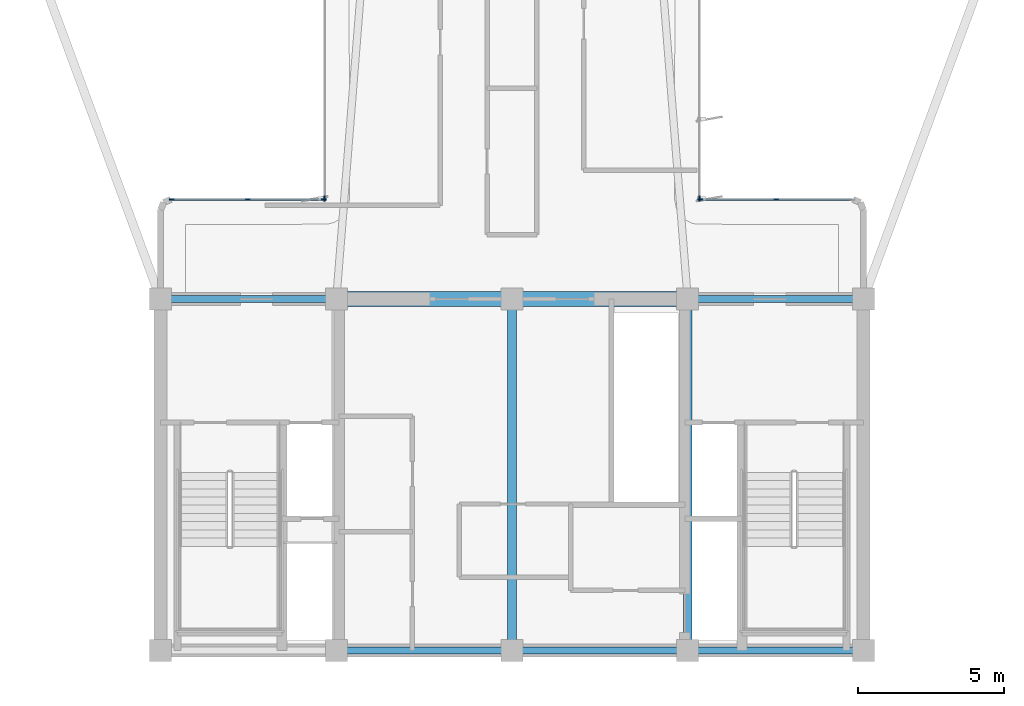
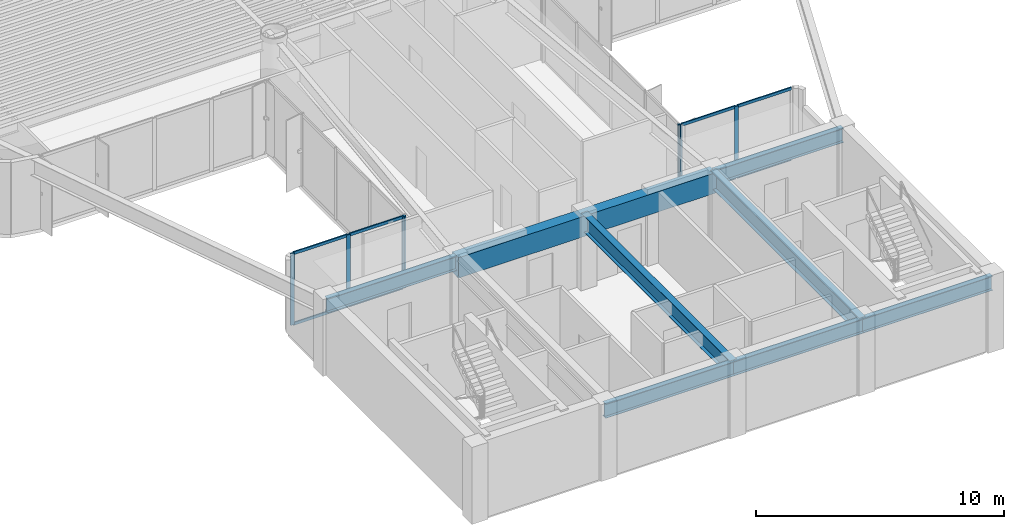
# One storey, part 2 of 15: 15 members, 8 beams, 4 elements without a shape of their own.
"""IFC4 building model written with IfcOpenShell, lengths in metres."""

from ifc_helpers import new_model, si_unit, direction, frame, origin, origin_2d, place, context, subcontext, project, spatial, rectangle, i_section, extrude, source, transform, mapped, material, layer, layer_set, material_profile, profile_set, type_object, element, aggregate, save


model = new_model("IFC4")

# Units and contexts
model_context = context("Model", 3, precision=1e-05, world=origin(), true_north=direction((0.0, 1.0)))
body_context = subcontext(model_context, "Body", "Model", "MODEL_VIEW")
ifc_project = project(units=[si_unit("LENGTHUNIT", "METRE"), si_unit("AREAUNIT", "SQUARE_METRE"), si_unit("VOLUMEUNIT", "CUBIC_METRE"), si_unit("PLANEANGLEUNIT", "RADIAN"), si_unit("MASSUNIT", "GRAM", prefix="KILO")], contexts=[model_context])

# Site, building, storey
site_placement = place(None, origin())
site = spatial("IfcSite", under=ifc_project, at=site_placement, CompositionType="ELEMENT")
building_placement = place(site_placement, origin())
building = spatial("IfcBuilding", under=site, at=building_placement, Name="Brelvock Crest Care Tower", CompositionType="ELEMENT")
storey_placement = place(building_placement, frame((0.0, 0.0, 163.97998046875)))
storey = spatial("IfcBuildingStorey", under=building, at=storey_placement, Name="L41", CompositionType="ELEMENT", Elevation=163.97998046875)

# Beams
ifc_material_1 = material(Name="Steel Grade 350", Category="steel")
ifc_material_profile_1 = material_profile(ifc_material_1, i_section(OverallWidth=0.25, OverallDepth=0.699951171875, WebThickness=0.011962890625, FlangeThickness=0.02001953125, at=origin_2d()), Name="700WB150")
ifc_profile_set_1 = profile_set([ifc_material_profile_1], Name="Steel Grade 350")
beam_type_1 = type_object("IfcBeamType", Name="BM-G4", PredefinedType="BEAM", material=ifc_profile_set_1)
shared_shape_1 = source(origin(), body_context, "Body", "SweptSolid", [
    extrude(i_section(OverallWidth=0.25, OverallDepth=0.699951171875, WebThickness=0.011962890625, FlangeThickness=0.02001953125, at=origin_2d()), origin(), (0.0, 0.0, 1.0), 6.0),
])
for number, where, z_axis, x_axis, name in (
    (1, (24.0, 18.0, 3.179931640625), (1.0, 0.0, 0.0), (0.0, 1.0, 0.0), "BM-COREN-L41-1"),
    (2, (30.0, 6.0, 3.179931640625), (1.0, 0.0, 0.0), (0.0, 1.0, 0.0), "BM-CORES-L41-2"),
    (3, (36.0, 6.0, 3.179931640625), (1.0, 0.0, 0.0), (0.0, 1.0, 0.0), "BM-CORES-L41-3"),
    (4, (42.0, 6.0, 3.179931640625), (1.0, 0.0, 0.0), (0.0, 1.0, 0.0), "BM-CORES-L41-4"),
    (5, (42.0, 18.0, 3.179931640625), (1.0, 0.0, 0.0), (0.0, 1.0, 0.0), "BM-COREN-L41-4"),
):
    element("IfcBeam", number, at=place(storey_placement, frame(where, z_axis=z_axis, x_axis=x_axis)), inside=storey, type_object=beam_type_1, Name=name, PredefinedType="BEAM", context=body_context, shape_type="MappedRepresentation", body=[
        mapped(shared_shape_1, transform((0.0, 0.0, 0.0), x_axis=(1.0, 0.0, 0.0), y_axis=(0.0, 1.0, 0.0), z_axis=(0.0, 0.0, 1.0), scale=1.0)),
    ])
ifc_material_profile_2 = material_profile(ifc_material_1, i_section(OverallWidth=0.300048828125, OverallDepth=0.800048828125, WebThickness=0.013916015625, FlangeThickness=0.02197265625, at=origin_2d()), Name="800WB192")
ifc_profile_set_2 = profile_set([ifc_material_profile_2], Name="Steel Grade 350")
beam_type_2 = type_object("IfcBeamType", Name="BM-G5", PredefinedType="BEAM", material=ifc_profile_set_2)
shared_shape_2 = source(origin(), body_context, "Body", "SweptSolid", [
    extrude(i_section(OverallWidth=0.300048828125, OverallDepth=0.800048828125, WebThickness=0.013916015625, FlangeThickness=0.02197265625, at=origin_2d()), origin(), (0.0, 0.0, 1.0), 12.0),
])
for number, where, z_axis, x_axis, name in (
    (6, (36.0, 6.0, 3.130126953125), (0.0, 1.0, 0.0), (-1.0, 0.0, 0.0), "BM-COREX-L41-3"),
    (7, (42.0, 6.0, 3.130126953125), (0.0, 1.0, 0.0), (-1.0, 0.0, 0.0), "BM-COREX-L41-4"),
):
    element("IfcBeam", number, at=place(storey_placement, frame(where, z_axis=z_axis, x_axis=x_axis)), inside=storey, type_object=beam_type_2, Name=name, PredefinedType="BEAM", context=body_context, shape_type="MappedRepresentation", body=[
        mapped(shared_shape_2, transform((0.0, 0.0, 0.0), x_axis=(1.0, 0.0, 0.0), y_axis=(0.0, 1.0, 0.0), z_axis=(0.0, 0.0, 1.0), scale=1.0)),
    ])
ifc_material_2 = material(Name="Concrete S65 (65 MPa)", Category="concrete")
ifc_material_profile_3 = material_profile(ifc_material_2, rectangle(XDim=0.5, YDim=1.0, at=origin_2d()), Name="RC500x1000")
ifc_profile_set_3 = profile_set([ifc_material_profile_3], Name="Concrete S65 (65 MPa)")
beam_type_3 = type_object("IfcBeamType", Name="BM-LN2", PredefinedType="LINTEL", material=ifc_profile_set_3)
shared_shape_3 = source(origin(), body_context, "Body", "SweptSolid", [
    extrude(rectangle(XDim=0.5, YDim=1.0, at=origin_2d()), origin(), (0.0, 0.0, 1.0), 12.0),
])
beam_placement = place(storey_placement, frame((30.0, 18.0, 3.030029296875), z_axis=(1.0, 0.0, 0.0), x_axis=(0.0, 1.0, 0.0)))
element("IfcBeam", 8, at=beam_placement, inside=storey, type_object=beam_type_3, Name="L41 Core Coupling Lintel Beam", PredefinedType="LINTEL", context=body_context, shape_type="MappedRepresentation", body=[
    mapped(shared_shape_3, transform((0.0, 0.0, 0.0), x_axis=(1.0, 0.0, 0.0), y_axis=(0.0, 1.0, 0.0), z_axis=(0.0, 0.0, 1.0), scale=1.0)),
])

# Curtain wall, members
ifc_material_3 = material(Name="Dark Glass Double Glazed Low-E", Category="glass")
ifc_layer = layer(ifc_material_3, 0.22509765625, Name="CWS-4")
ifc_layer_set = layer_set([ifc_layer], Name="Dark Glass Double Glazed Low-E")
curtain_wall_type = type_object("IfcCurtainWallType", Name="CWS-4", PredefinedType="NOTDEFINED", material=ifc_layer_set)
curtain_wall_1_placement = place(storey_placement, origin())
curtain_wall_1 = element("IfcCurtainWall", 9, at=curtain_wall_1_placement, inside=storey, type_object=curtain_wall_type, Name="L41 Curtain Wall E10", PredefinedType="NOTDEFINED")
ifc_material_4 = material(Name="Aluminium 6063-T6", Category="aluminium")
ifc_material_profile_4 = material_profile(ifc_material_4, rectangle(XDim=0.06005859375, YDim=0.179931640625, at=origin_2d()), Name="ALU60x180")
ifc_profile_set_4 = profile_set([ifc_material_profile_4], Name="Aluminium 6063-T6")
member_type_1 = type_object("IfcMemberType", Name="CWM-2", PredefinedType="MULLION", material=ifc_profile_set_4)
shared_shape_4 = source(origin(), body_context, "Body", "SweptSolid", [
    extrude(rectangle(XDim=0.06005859375, YDim=0.179931640625, at=origin_2d()), origin(), (0.0, 0.0, 1.0), 3.530029296875),
])
member_1_placement = place(storey_placement, frame((24.3798828125, 21.39990234375, 0.0), z_axis=(0.0, 0.0, 1.0), x_axis=(0.0, 1.0, 0.0)))
member_1 = element("IfcMember", 10, at=member_1_placement, type_object=member_type_1, Name="CW-4 mullion 1", PredefinedType="MULLION", context=body_context, shape_type="MappedRepresentation", body=[
    mapped(shared_shape_4, transform((0.0, 0.0, 0.0), x_axis=(1.0, 0.0, 0.0), y_axis=(0.0, 1.0, 0.0), z_axis=(0.0, 0.0, 1.0), scale=1.0)),
])
member_2_placement = place(storey_placement, frame((26.97509765625, 21.39990234375, 0.0), z_axis=(0.0, 0.0, 1.0), x_axis=(0.0, 1.0, 0.0)))
member_2 = element("IfcMember", 11, at=member_2_placement, type_object=member_type_1, Name="CW-4 mullion 2", PredefinedType="MULLION", context=body_context, shape_type="MappedRepresentation", body=[
    mapped(shared_shape_4, transform((0.0, 0.0, 0.0), x_axis=(1.0, 0.0, 0.0), y_axis=(0.0, 1.0, 0.0), z_axis=(0.0, 0.0, 1.0), scale=1.0)),
])
member_3_placement = place(storey_placement, frame((29.570068359375, 21.39990234375, 0.0), z_axis=(0.0, 0.0, 1.0), x_axis=(0.0, 1.0, 0.0)))
member_3 = element("IfcMember", 12, at=member_3_placement, type_object=member_type_1, Name="CW-4 mullion 3", PredefinedType="MULLION", context=body_context, shape_type="MappedRepresentation", body=[
    mapped(shared_shape_4, transform((0.0, 0.0, 0.0), x_axis=(1.0, 0.0, 0.0), y_axis=(0.0, 1.0, 0.0), z_axis=(0.0, 0.0, 1.0), scale=1.0)),
])

# Curtain wall, member
curtain_wall_2_placement = place(storey_placement, origin())
curtain_wall_2 = element("IfcCurtainWall", 13, at=curtain_wall_2_placement, inside=storey, type_object=curtain_wall_type, Name="L41 Curtain Wall E11", PredefinedType="NOTDEFINED")
member_4_placement = place(storey_placement, frame((29.60009765625, 21.429931640625, 0.0), z_axis=(0.0, 0.0, 1.0), x_axis=(-1.0, 0.0, 0.0)))
member_4 = element("IfcMember", 14, at=member_4_placement, type_object=member_type_1, Name="CW-4 mullion 1", PredefinedType="MULLION", context=body_context, shape_type="MappedRepresentation", body=[
    mapped(shared_shape_4, transform((0.0, 0.0, 0.0), x_axis=(1.0, 0.0, 0.0), y_axis=(0.0, 1.0, 0.0), z_axis=(0.0, 0.0, 1.0), scale=1.0)),
])
aggregate(curtain_wall_2, [member_4])

curtain_wall_3_placement = place(storey_placement, origin())
curtain_wall_3 = element("IfcCurtainWall", 15, at=curtain_wall_3_placement, inside=storey, type_object=curtain_wall_type, Name="L41 Curtain Wall E45", PredefinedType="NOTDEFINED")
member_5_placement = place(storey_placement, frame((42.39990234375, 21.429931640625, 0.0), z_axis=(0.0, 0.0, 1.0), x_axis=(1.0, 0.0, 0.0)))
member_5 = element("IfcMember", 16, at=member_5_placement, type_object=member_type_1, Name="CW-4 mullion 5", PredefinedType="MULLION", context=body_context, shape_type="MappedRepresentation", body=[
    mapped(shared_shape_4, transform((0.0, 0.0, 0.0), x_axis=(1.0, 0.0, 0.0), y_axis=(0.0, 1.0, 0.0), z_axis=(0.0, 0.0, 1.0), scale=1.0)),
])
aggregate(curtain_wall_3, [member_5])

# Curtain wall, members
curtain_wall_4_placement = place(storey_placement, origin())
curtain_wall_4 = element("IfcCurtainWall", 17, at=curtain_wall_4_placement, inside=storey, type_object=curtain_wall_type, Name="L41 Curtain Wall E46", PredefinedType="NOTDEFINED")
member_6_placement = place(storey_placement, frame((42.429931640625, 21.39990234375, 0.0), z_axis=(0.0, 0.0, 1.0), x_axis=(0.0, 1.0, 0.0)))
member_6 = element("IfcMember", 18, at=member_6_placement, type_object=member_type_1, Name="CW-4 mullion 1", PredefinedType="MULLION", context=body_context, shape_type="MappedRepresentation", body=[
    mapped(shared_shape_4, transform((0.0, 0.0, 0.0), x_axis=(1.0, 0.0, 0.0), y_axis=(0.0, 1.0, 0.0), z_axis=(0.0, 0.0, 1.0), scale=1.0)),
])
member_7_placement = place(storey_placement, frame((45.02490234375, 21.39990234375, 0.0), z_axis=(0.0, 0.0, 1.0), x_axis=(0.0, 1.0, 0.0)))
member_7 = element("IfcMember", 19, at=member_7_placement, type_object=member_type_1, Name="CW-4 mullion 2", PredefinedType="MULLION", context=body_context, shape_type="MappedRepresentation", body=[
    mapped(shared_shape_4, transform((0.0, 0.0, 0.0), x_axis=(1.0, 0.0, 0.0), y_axis=(0.0, 1.0, 0.0), z_axis=(0.0, 0.0, 1.0), scale=1.0)),
])

# Member
ifc_material_profile_5 = material_profile(ifc_material_4, rectangle(XDim=0.06005859375, YDim=0.139892578125, at=origin_2d()), Name="ALU60x140")
ifc_profile_set_5 = profile_set([ifc_material_profile_5], Name="Aluminium 6063-T6")
member_type_2 = type_object("IfcMemberType", Name="CWT-2", PredefinedType="USERDEFINED", material=ifc_profile_set_5)
shared_shape_5 = source(origin(), body_context, "Body", "SweptSolid", [
    extrude(rectangle(XDim=0.06005859375, YDim=0.139892578125, at=origin_2d()), origin(), (0.0, 0.0, 1.0), 2.53515625),
])
member_8_placement = place(storey_placement, frame((24.409912109375, 21.39990234375, 0.030029296875), z_axis=(1.0, 0.0, 0.0), x_axis=(0.0, 1.0, 0.0)))
member_8 = element("IfcMember", 20, at=member_8_placement, type_object=member_type_2, Name="CW-4 transom 1.1", ObjectType="TRANSOM", PredefinedType="USERDEFINED", context=body_context, shape_type="MappedRepresentation", body=[
    mapped(shared_shape_5, transform((0.0, 0.0, 0.0), x_axis=(1.0, 0.0, 0.0), y_axis=(0.0, 1.0, 0.0), z_axis=(0.0, 0.0, 1.0), scale=1.0)),
])

member_9_placement = place(storey_placement, frame((24.409912109375, 21.39990234375, 3.5), z_axis=(1.0, 0.0, 0.0), x_axis=(0.0, 1.0, 0.0)))
member_9 = element("IfcMember", 21, at=member_9_placement, type_object=member_type_2, Name="CW-4 transom 1.2", ObjectType="TRANSOM", PredefinedType="USERDEFINED", context=body_context, shape_type="MappedRepresentation", body=[
    mapped(shared_shape_5, transform((0.0, 0.0, 0.0), x_axis=(1.0, 0.0, 0.0), y_axis=(0.0, 1.0, 0.0), z_axis=(0.0, 0.0, 1.0), scale=1.0)),
])

member_10_placement = place(storey_placement, frame((27.0048828125, 21.39990234375, 0.030029296875), z_axis=(1.0, 0.0, 0.0), x_axis=(0.0, 1.0, 0.0)))
member_10 = element("IfcMember", 22, at=member_10_placement, type_object=member_type_2, Name="CW-4 transom 2.1", ObjectType="TRANSOM", PredefinedType="USERDEFINED", context=body_context, shape_type="MappedRepresentation", body=[
    mapped(shared_shape_5, transform((0.0, 0.0, 0.0), x_axis=(1.0, 0.0, 0.0), y_axis=(0.0, 1.0, 0.0), z_axis=(0.0, 0.0, 1.0), scale=1.0)),
])

member_11_placement = place(storey_placement, frame((27.0048828125, 21.39990234375, 3.5), z_axis=(1.0, 0.0, 0.0), x_axis=(0.0, 1.0, 0.0)))
member_11 = element("IfcMember", 23, at=member_11_placement, type_object=member_type_2, Name="CW-4 transom 2.2", ObjectType="TRANSOM", PredefinedType="USERDEFINED", context=body_context, shape_type="MappedRepresentation", body=[
    mapped(shared_shape_5, transform((0.0, 0.0, 0.0), x_axis=(1.0, 0.0, 0.0), y_axis=(0.0, 1.0, 0.0), z_axis=(0.0, 0.0, 1.0), scale=1.0)),
])

aggregate(curtain_wall_1, [member_1, member_2, member_3, member_8, member_9, member_10, member_11])

member_12_placement = place(storey_placement, frame((42.4599609375, 21.39990234375, 0.030029296875), z_axis=(1.0, 0.0, 0.0), x_axis=(0.0, 1.0, 0.0)))
member_12 = element("IfcMember", 24, at=member_12_placement, type_object=member_type_2, Name="CW-4 transom 1.1", ObjectType="TRANSOM", PredefinedType="USERDEFINED", context=body_context, shape_type="MappedRepresentation", body=[
    mapped(shared_shape_5, transform((0.0, 0.0, 0.0), x_axis=(1.0, 0.0, 0.0), y_axis=(0.0, 1.0, 0.0), z_axis=(0.0, 0.0, 1.0), scale=1.0)),
])

member_13_placement = place(storey_placement, frame((42.4599609375, 21.39990234375, 3.5), z_axis=(1.0, 0.0, 0.0), x_axis=(0.0, 1.0, 0.0)))
member_13 = element("IfcMember", 25, at=member_13_placement, type_object=member_type_2, Name="CW-4 transom 1.2", ObjectType="TRANSOM", PredefinedType="USERDEFINED", context=body_context, shape_type="MappedRepresentation", body=[
    mapped(shared_shape_5, transform((0.0, 0.0, 0.0), x_axis=(1.0, 0.0, 0.0), y_axis=(0.0, 1.0, 0.0), z_axis=(0.0, 0.0, 1.0), scale=1.0)),
])

member_14_placement = place(storey_placement, frame((45.054931640625, 21.39990234375, 0.030029296875), z_axis=(1.0, 0.0, 0.0), x_axis=(0.0, 1.0, 0.0)))
member_14 = element("IfcMember", 26, at=member_14_placement, type_object=member_type_2, Name="CW-4 transom 2.1", ObjectType="TRANSOM", PredefinedType="USERDEFINED", context=body_context, shape_type="MappedRepresentation", body=[
    mapped(shared_shape_5, transform((0.0, 0.0, 0.0), x_axis=(1.0, 0.0, 0.0), y_axis=(0.0, 1.0, 0.0), z_axis=(0.0, 0.0, 1.0), scale=1.0)),
])

member_15_placement = place(storey_placement, frame((45.054931640625, 21.39990234375, 3.5), z_axis=(1.0, 0.0, 0.0), x_axis=(0.0, 1.0, 0.0)))
member_15 = element("IfcMember", 27, at=member_15_placement, type_object=member_type_2, Name="CW-4 transom 2.2", ObjectType="TRANSOM", PredefinedType="USERDEFINED", context=body_context, shape_type="MappedRepresentation", body=[
    mapped(shared_shape_5, transform((0.0, 0.0, 0.0), x_axis=(1.0, 0.0, 0.0), y_axis=(0.0, 1.0, 0.0), z_axis=(0.0, 0.0, 1.0), scale=1.0)),
])

aggregate(curtain_wall_4, [member_6, member_7, member_12, member_13, member_14, member_15])

save(model, "model.ifc")
